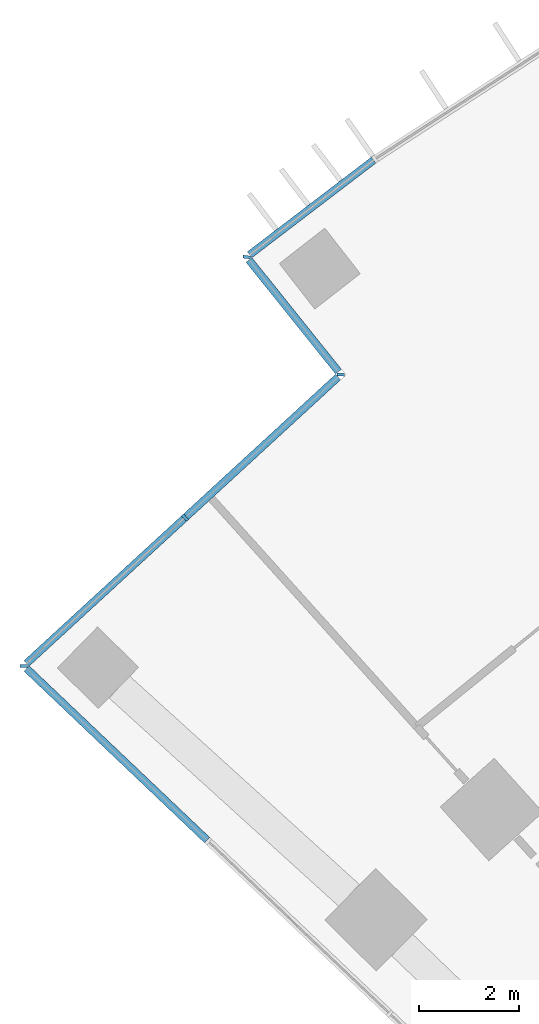
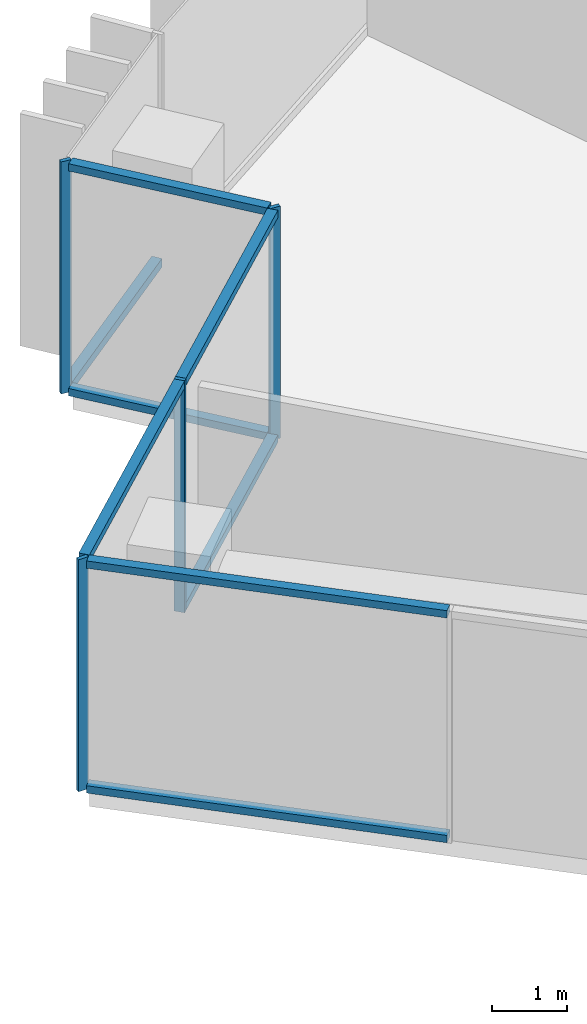
# One storey, part 3 of 22: 12 members, 4 elements without a shape of their own.
"""IFC4 building model written with IfcOpenShell, lengths in metres."""

from ifc_helpers import new_model, si_unit, direction, frame, origin, origin_2d, place, context, subcontext, project, spatial, rectangle, extrude, material, layer, layer_set, material_profile, profile_set, type_object, element, aggregate, save


model = new_model("IFC4")

# Units and contexts
model_context = context("Model", 3, precision=1e-05, world=origin(), true_north=direction((0.0, 1.0)))
body_context = subcontext(model_context, "Body", "Model", "MODEL_VIEW")
ifc_project = project(units=[si_unit("LENGTHUNIT", "METRE"), si_unit("AREAUNIT", "SQUARE_METRE"), si_unit("VOLUMEUNIT", "CUBIC_METRE"), si_unit("PLANEANGLEUNIT", "RADIAN"), si_unit("MASSUNIT", "GRAM", prefix="KILO")], contexts=[model_context])

# Site, building, storey
site_placement = place(None, origin())
site = spatial("IfcSite", under=ifc_project, at=site_placement, CompositionType="ELEMENT")
building_placement = place(site_placement, origin())
building = spatial("IfcBuilding", under=site, at=building_placement, Name="Stone Belt Terrace Tower", CompositionType="ELEMENT")
storey_placement = place(building_placement, frame((0.0, 0.0, 132.60009765625)))
storey = spatial("IfcBuildingStorey", under=building, at=storey_placement, Name="L32", CompositionType="ELEMENT", Elevation=132.60009765625)

# Curtain wall, member
ifc_material = material(Name="Aluminium 6063-T6 anodised frame", Category="aluminium")
ifc_layer_1 = layer(ifc_material, 0.14990234375)
ifc_layer_set_1 = layer_set([ifc_layer_1], Name="CW-A unitised convex-face curtain wall")
curtain_wall_type_1 = type_object("IfcCurtainWallType", Name="CW-A unitised convex-face curtain wall", PredefinedType="NOTDEFINED", material=ifc_layer_set_1)
curtain_wall_1_placement = place(storey_placement, origin())
curtain_wall_1 = element("IfcCurtainWall", 1, at=curtain_wall_1_placement, inside=storey, type_object=curtain_wall_type_1, Name="CW-A convex face L32", PredefinedType="NOTDEFINED")
ifc_material_profile_1 = material_profile(ifc_material, rectangle(XDim=0.14990234375, YDim=0.139892578125, at=origin_2d()), Name="Aluminium 6063-T6 150x140")
ifc_profile_set_1 = profile_set([ifc_material_profile_1], Name="Aluminium 6063-T6 anodised frame")
member_type_1 = type_object("IfcMemberType", Name="CW-A transom 140 x 150", PredefinedType="USERDEFINED", material=ifc_profile_set_1)
member_1_placement = place(storey_placement, frame((-39.156982421875, 53.841064453125, 0.06982421875), z_axis=(-0.794929356571, -0.606702001036, 0.0), x_axis=(0.606702001036, -0.794929356571, 0.0)))
member_1 = element("IfcMember", 2, at=member_1_placement, type_object=member_type_1, Name="CW-A transom 16.1", ObjectType="TRANSOM", PredefinedType="USERDEFINED", context=body_context, shape_type="SweptSolid", body=[
    extrude(rectangle(XDim=0.14990234375, YDim=0.139892578125, at=origin_2d()), origin(), (0.0, 0.0, 1.0), 3.1142578125),
])
aggregate(curtain_wall_1, [member_1])

ifc_layer_2 = layer(ifc_material, 0.14990234375)
ifc_layer_set_2 = layer_set([ifc_layer_2], Name="CW-C stick curtain wall, horn ends and notches")
curtain_wall_type_2 = type_object("IfcCurtainWallType", Name="CW-C stick curtain wall, horn ends and notches", PredefinedType="NOTDEFINED", material=ifc_layer_set_2)
curtain_wall_2_placement = place(storey_placement, origin())
curtain_wall_2 = element("IfcCurtainWall", 3, at=curtain_wall_2_placement, inside=storey, type_object=curtain_wall_type_2, Name="CW-C notch face L32", PredefinedType="NOTDEFINED")
ifc_material_profile_2 = material_profile(ifc_material, rectangle(XDim=0.14990234375, YDim=0.06005859375, at=origin_2d()), Name="Aluminium 6063-T6 60x150")
ifc_profile_set_2 = profile_set([ifc_material_profile_2], Name="Aluminium 6063-T6 anodised frame")
member_type_2 = type_object("IfcMemberType", Name="CW-C mullion 60 x 150", PredefinedType="MULLION", material=ifc_profile_set_2)
member_2_placement = place(storey_placement, frame((-41.69189453125, 51.90625, 0.0), z_axis=(0.0, 0.0, 1.0), x_axis=(0.992610915528, -0.121340720183, 0.0)))
member_2 = element("IfcMember", 4, at=member_2_placement, type_object=member_type_2, Name="CW-C mullion 1", PredefinedType="MULLION", context=body_context, shape_type="SweptSolid", body=[
    extrude(rectangle(XDim=0.14990234375, YDim=0.06005859375, at=origin_2d()), origin(), (0.0, 0.0, 1.0), 3.7998046875),
])

# Curtain wall, members
curtain_wall_3_placement = place(storey_placement, origin())
curtain_wall_3 = element("IfcCurtainWall", 5, at=curtain_wall_3_placement, inside=storey, type_object=curtain_wall_type_2, Name="CW-C notch face L32", PredefinedType="NOTDEFINED")
member_3_placement = place(storey_placement, frame((-39.8115234375, 49.56005859375, 0.0), z_axis=(0.0, 0.0, 1.0), x_axis=(0.99711393405, -0.07591971103, 0.0)))
member_3 = element("IfcMember", 6, at=member_3_placement, type_object=member_type_2, Name="CW-C mullion 1", PredefinedType="MULLION", context=body_context, shape_type="SweptSolid", body=[
    extrude(rectangle(XDim=0.14990234375, YDim=0.06005859375, at=origin_2d()), origin(), (0.0, 0.0, 1.0), 3.7998046875),
])
member_4_placement = place(storey_placement, frame((-42.92138671875, 46.701904296875, 0.0), z_axis=(0.0, 0.0, 1.0), x_axis=(0.676676945985, -0.736280049148, 0.0)))
member_4 = element("IfcMember", 7, at=member_4_placement, type_object=member_type_2, Name="CW-C mullion 2", PredefinedType="MULLION", context=body_context, shape_type="SweptSolid", body=[
    extrude(rectangle(XDim=0.14990234375, YDim=0.06005859375, at=origin_2d()), origin(), (0.0, 0.0, 1.0), 3.7998046875),
])

# Curtain wall, member
curtain_wall_4_placement = place(storey_placement, origin())
curtain_wall_4 = element("IfcCurtainWall", 8, at=curtain_wall_4_placement, inside=storey, type_object=curtain_wall_type_2, Name="CW-C end face L32", PredefinedType="NOTDEFINED")
member_5_placement = place(storey_placement, frame((-46.141845703125, 43.7421875, 0.0), z_axis=(0.0, 0.0, 1.0), x_axis=(0.999965358551, -0.008323562836, 0.0)))
member_5 = element("IfcMember", 9, at=member_5_placement, type_object=member_type_2, Name="CW-C mullion 1", PredefinedType="MULLION", context=body_context, shape_type="SweptSolid", body=[
    extrude(rectangle(XDim=0.14990234375, YDim=0.06005859375, at=origin_2d()), origin(), (0.0, 0.0, 1.0), 3.7998046875),
])

# Member
ifc_material_profile_3 = material_profile(ifc_material, rectangle(XDim=0.14990234375, YDim=0.1201171875, at=origin_2d()), Name="Aluminium 6063-T6 150x120")
ifc_profile_set_3 = profile_set([ifc_material_profile_3], Name="Aluminium 6063-T6 anodised frame")
member_type_3 = type_object("IfcMemberType", Name="CW-C transom 120 x 150", PredefinedType="USERDEFINED", material=ifc_profile_set_3)
member_6_placement = place(storey_placement, frame((-41.645263671875, 51.84814453125, 0.059814453125), z_axis=(0.625350914086, -0.780343664197, 0.0), x_axis=(0.780343664197, 0.625350914086, 0.0)))
member_6 = element("IfcMember", 10, at=member_6_placement, type_object=member_type_3, Name="CW-C transom 1.1", ObjectType="TRANSOM", PredefinedType="USERDEFINED", context=body_context, shape_type="SweptSolid", body=[
    extrude(rectangle(XDim=0.14990234375, YDim=0.1201171875, at=origin_2d()), origin(), (0.0, 0.0, 1.0), 2.85888671875),
])

member_7_placement = place(storey_placement, frame((-41.645263671875, 51.84814453125, 3.739990234375), z_axis=(0.625350914086, -0.780343664197, 0.0), x_axis=(0.780343664197, 0.625350914086, 0.0)))
member_7 = element("IfcMember", 11, at=member_7_placement, type_object=member_type_3, Name="CW-C transom 1.2", ObjectType="TRANSOM", PredefinedType="USERDEFINED", context=body_context, shape_type="SweptSolid", body=[
    extrude(rectangle(XDim=0.14990234375, YDim=0.1201171875, at=origin_2d()), origin(), (0.0, 0.0, 1.0), 2.85888671875),
])

aggregate(curtain_wall_2, [member_2, member_6, member_7])

member_8_placement = place(storey_placement, frame((-39.865478515625, 49.510498046875, 0.059814453125), z_axis=(-0.736309968185, -0.676644390172, 0.0), x_axis=(0.676644390172, -0.736309968185, 0.0)))
member_8 = element("IfcMember", 12, at=member_8_placement, type_object=member_type_3, Name="CW-C transom 1.1", ObjectType="TRANSOM", PredefinedType="USERDEFINED", context=body_context, shape_type="SweptSolid", body=[
    extrude(rectangle(XDim=0.14990234375, YDim=0.1201171875, at=origin_2d()), origin(), (0.0, 0.0, 1.0), 4.120361328125),
])

member_9_placement = place(storey_placement, frame((-39.865478515625, 49.510498046875, 3.739990234375), z_axis=(-0.736309968185, -0.676644390172, 0.0), x_axis=(0.676644390172, -0.736309968185, 0.0)))
member_9 = element("IfcMember", 13, at=member_9_placement, type_object=member_type_3, Name="CW-C transom 1.2", ObjectType="TRANSOM", PredefinedType="USERDEFINED", context=body_context, shape_type="SweptSolid", body=[
    extrude(rectangle(XDim=0.14990234375, YDim=0.1201171875, at=origin_2d()), origin(), (0.0, 0.0, 1.0), 4.120361328125),
])

member_10_placement = place(storey_placement, frame((-42.943603515625, 46.681640625, 3.739990234375), z_axis=(-0.736277458535, -0.676679764773, 0.0), x_axis=(0.676679764773, -0.736277458535, 0.0)))
member_10 = element("IfcMember", 14, at=member_10_placement, type_object=member_type_3, Name="CW-C transom 2.1", ObjectType="TRANSOM", PredefinedType="USERDEFINED", context=body_context, shape_type="SweptSolid", body=[
    extrude(rectangle(XDim=0.14990234375, YDim=0.1201171875, at=origin_2d()), origin(), (0.0, 0.0, 1.0), 4.2685546875),
])

aggregate(curtain_wall_3, [member_3, member_4, member_8, member_9, member_10])

member_11_placement = place(storey_placement, frame((-46.08740234375, 43.6904296875, 0.059814453125), z_axis=(0.72491121173, -0.688842315126, 0.0), x_axis=(0.688842315126, 0.72491121173, 0.0)))
member_11 = element("IfcMember", 15, at=member_11_placement, type_object=member_type_3, Name="CW-C transom 1.1", ObjectType="TRANSOM", PredefinedType="USERDEFINED", context=body_context, shape_type="SweptSolid", body=[
    extrude(rectangle(XDim=0.14990234375, YDim=0.1201171875, at=origin_2d()), origin(), (0.0, 0.0, 1.0), 4.97509765625),
])

member_12_placement = place(storey_placement, frame((-46.08740234375, 43.6904296875, 3.739990234375), z_axis=(0.72491121173, -0.688842315126, 0.0), x_axis=(0.688842315126, 0.72491121173, 0.0)))
member_12 = element("IfcMember", 16, at=member_12_placement, type_object=member_type_3, Name="CW-C transom 1.2", ObjectType="TRANSOM", PredefinedType="USERDEFINED", context=body_context, shape_type="SweptSolid", body=[
    extrude(rectangle(XDim=0.14990234375, YDim=0.1201171875, at=origin_2d()), origin(), (0.0, 0.0, 1.0), 4.97509765625),
])

aggregate(curtain_wall_4, [member_5, member_11, member_12])

save(model, "model.ifc")
